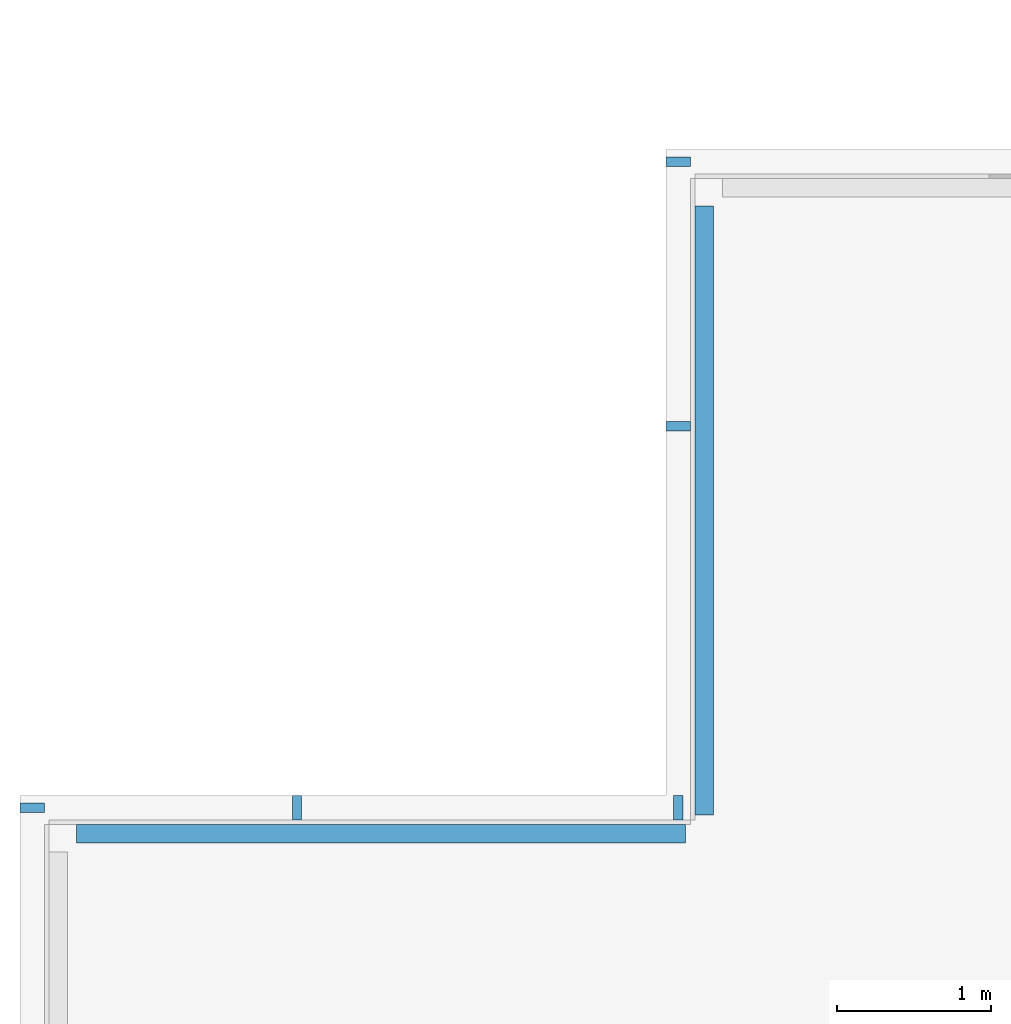
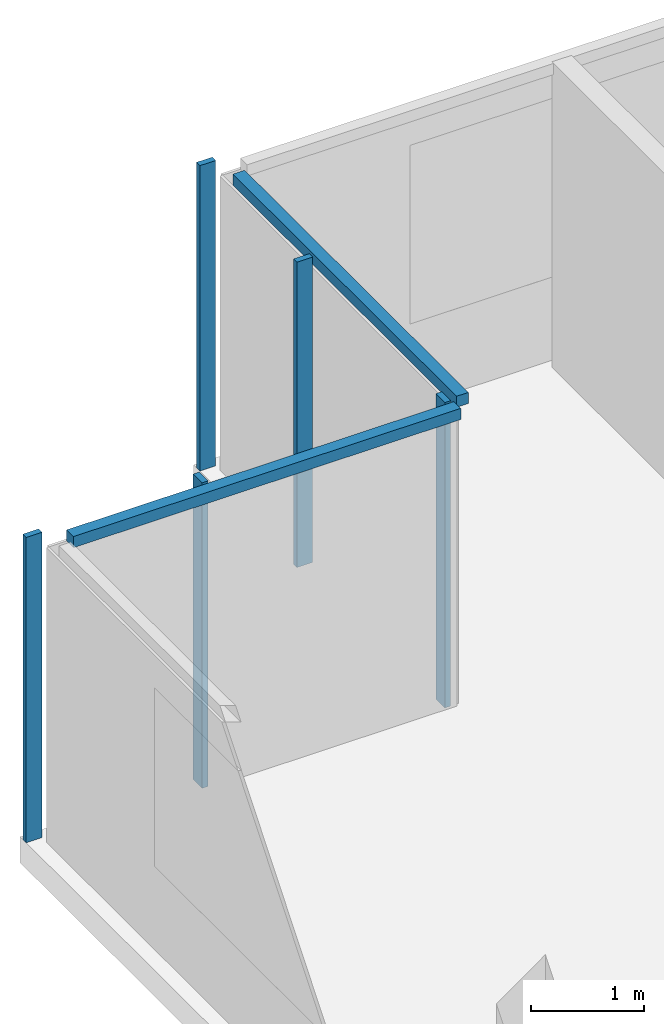
# One storey, part 7 of 19: 7 members, 3 elements without a shape of their own.
"""IFC4 building model written with IfcOpenShell, lengths in metres."""

import ifcopenshell
import ifcopenshell.guid

model = None  # the IFC model being written
_history = None  # IfcOwnerHistory: only IFC2X3 demands one
_inside = {}  # id of a spatial element -> (the spatial element, [elements in it])
_under = {}  # id of a project, library or spatial element -> (it, [spatial elements below it])
_declared = {}  # id of a project -> (the project, [libraries it declares])
_typed = {}  # id of a type object -> (the type object, [elements of that type])
_made_of = {}  # id of a material, layer set ... -> (it, [elements and type objects made of it])


def new_model(schema):
    """Start an empty IFC model of exactly this schema.

    Asked for "IFC4X3", IfcOpenShell would pick the latest addendum, in which some entities
    have other attributes; the version numbers below select the first issue.
    IFC2X3 requires an IfcOwnerHistory on every rooted entity: one is made here for all.
    """
    global model, _history
    if schema == "IFC4X3":
        model = ifcopenshell.file(schema_version=(4, 3, 0, 0))
    else:
        model = ifcopenshell.file(schema=schema)
    _inside.clear()
    _under.clear()
    _declared.clear()
    _typed.clear()
    _made_of.clear()
    _history = None
    if model.schema == "IFC2X3":
        org = make("IfcOrganization", Name="unknown")
        user = make(
            "IfcPersonAndOrganization",
            ThePerson=make("IfcPerson", FamilyName="unknown"),
            TheOrganization=org,
        )
        app = make(
            "IfcApplication",
            ApplicationDeveloper=org,
            Version="unknown",
            ApplicationFullName="unknown",
            ApplicationIdentifier="unknown",
        )
        _history = make(
            "IfcOwnerHistory",
            OwningUser=user,
            OwningApplication=app,
            ChangeAction="ADDED",
            CreationDate=0,
        )
    return model


def make(cls, **values):
    """One entity of the class cls with the attributes given. An attribute that is None is left unset."""
    return model.create_entity(
        cls, **{name: value for name, value in values.items() if value is not None}
    )


def rooted(cls, **values):
    """An entity with a GlobalId (a new one), such as an element, a storey or a relation."""
    return make(cls, GlobalId=ifcopenshell.guid.new(), OwnerHistory=_history, **values)


def si_unit(unit_type, name, prefix=None):
    """IfcSIUnit, for example si_unit("LENGTHUNIT", "METRE", prefix="MILLI")."""
    return make("IfcSIUnit", UnitType=unit_type, Prefix=prefix, Name=name)


def assignment(units):
    """IfcUnitAssignment: the units of a project."""
    return None if units is None else make("IfcUnitAssignment", Units=units)


def point(xyz):
    """IfcCartesianPoint."""
    return None if xyz is None else make("IfcCartesianPoint", Coordinates=xyz)


def direction(xyz):
    """IfcDirection."""
    return None if xyz is None else make("IfcDirection", DirectionRatios=xyz)


def frame(location, z_axis=None, x_axis=None):
    """IfcAxis2Placement3D, a coordinate frame: its origin and axes. An axis left out is left unset."""
    return make(
        "IfcAxis2Placement3D",
        Location=point(location),
        Axis=direction(z_axis),
        RefDirection=direction(x_axis),
    )


def frame_2d(location, x_axis=None):
    """IfcAxis2Placement2D, a coordinate frame in the plane: its origin and x axis."""
    return make(
        "IfcAxis2Placement2D", Location=point(location), RefDirection=direction(x_axis)
    )


def origin():
    """The frame at (0, 0, 0) with its axes left unset."""
    return frame((0.0, 0.0, 0.0))


def origin_2d():
    """The frame at (0, 0) in the plane with its x axis left unset."""
    return frame_2d((0.0, 0.0))


def place(relative_to, where):
    """IfcLocalPlacement: puts the frame where relative to a parent placement (None: the world)."""
    return make(
        "IfcLocalPlacement", PlacementRelTo=relative_to, RelativePlacement=where
    )


def context(
    kind, dimensions, precision=None, world=None, true_north=None, identifier=None
):
    """IfcGeometricRepresentationContext, for example the 3D "Model" context."""
    return make(
        "IfcGeometricRepresentationContext",
        ContextIdentifier=identifier,
        ContextType=kind,
        CoordinateSpaceDimension=dimensions,
        Precision=precision,
        WorldCoordinateSystem=world,
        TrueNorth=true_north,
    )


def subcontext(parent, identifier, kind, view, scale=None):
    """IfcGeometricRepresentationSubContext, for example "Body" below "Model"."""
    return make(
        "IfcGeometricRepresentationSubContext",
        ContextIdentifier=identifier,
        ContextType=kind,
        ParentContext=parent,
        TargetScale=scale,
        TargetView=view,
    )


def project(units=None, contexts=None):
    """IfcProject with its units and contexts."""
    return rooted(
        "IfcProject",
        Name="project",
        RepresentationContexts=contexts,
        UnitsInContext=assignment(units),
    )


def spatial(cls, under=None, at=None, **own):
    """A site, building, storey or space (cls), placed at a placement, below another one or the project."""
    s = rooted(cls, ObjectPlacement=at, **own)
    if under is not None:
        _under.setdefault(under.id(), (under, []))[1].append(s)
    return s


def profile(cls, at=None, kind="AREA", **sizes):
    """A parametric profile (cls). Its sizes go by their IFC names, for example OverallWidth=200.0."""
    return make(cls, ProfileType=kind, Position=at, **sizes)


def rectangle(**sizes):
    """IfcRectangleProfileDef."""
    return profile("IfcRectangleProfileDef", **sizes)


def extrude(swept, where, along, depth):
    """IfcExtrudedAreaSolid: the profile swept, set in the frame where, extruded along a direction by depth."""
    return make(
        "IfcExtrudedAreaSolid",
        SweptArea=swept,
        Position=where,
        ExtrudedDirection=direction(along),
        Depth=depth,
    )


def shape(context_of_items, identifier, shape_type, items):
    """IfcShapeRepresentation: the items that make up one representation, for example the "Body"."""
    return make(
        "IfcShapeRepresentation",
        ContextOfItems=context_of_items,
        RepresentationIdentifier=identifier,
        RepresentationType=shape_type,
        Items=items,
    )


def material(Name=None, Category=None):
    """IfcMaterial."""
    return make("IfcMaterial", Name=Name, Category=Category)


def material_profile(
    of_material, cross_section, Name=None, Category=None, Priority=None
):
    """IfcMaterialProfile: a cross section and its material."""
    return make(
        "IfcMaterialProfile",
        Name=Name,
        Material=of_material,
        Profile=cross_section,
        Priority=Priority,
        Category=Category,
    )


def profile_set(profiles, Name=None, composite=None):
    """IfcMaterialProfileSet."""
    return make(
        "IfcMaterialProfileSet",
        Name=Name,
        MaterialProfiles=profiles,
        CompositeProfile=composite,
    )


def made_of(thing, what):
    """Note that an element or type object is made of a material, layer set ...; save() writes the relation."""
    if what is not None:
        _made_of.setdefault(what.id(), (what, []))[1].append(thing)
    return thing


def type_object(cls, material=None, **own):
    """A type object (cls), such as IfcWallType, which elements share."""
    return made_of(rooted(cls, **own), material)


def element(
    cls,
    number,
    at=None,
    inside=None,
    cuts=None,
    type_object=None,
    material=None,
    context=None,
    identifier="Body",
    shape_type=None,
    held_by="IfcProductDefinitionShape",
    body=None,
    shapes=None,
    **own,
):
    """One element of the class cls, such as IfcWall. Its Tag is "e" and its number.

    at: its placement. inside: the storey or other place that contains it. cuts: it is an
    opening in that element (IfcRelVoidsElement). A single representation is given by context,
    identifier, shape_type and body (its items); several are given by shapes. held_by: the class
    of the entity that holds the representations. save() writes the other relations.
    """
    e = rooted(cls, Tag="e%d" % number, ObjectPlacement=at, **own)
    if body is not None:
        shapes = [shape(context, identifier, shape_type, body)]
    if shapes is not None:
        e.Representation = make(held_by, Representations=shapes)
    if inside is not None:
        _inside.setdefault(inside.id(), (inside, []))[1].append(e)
    if cuts is not None:
        rooted(
            "IfcRelVoidsElement", RelatingBuildingElement=cuts, RelatedOpeningElement=e
        )
    if type_object is not None:
        _typed.setdefault(type_object.id(), (type_object, []))[1].append(e)
    return made_of(e, material)


def aggregate(whole, parts):
    """IfcRelAggregates: a whole, such as a stair, and the parts it consists of."""
    return rooted("IfcRelAggregates", RelatingObject=whole, RelatedObjects=parts)


def save(model, path):
    """Write the relations noted so far, then the file.

    IfcRelAggregates (storeys below a building ...), IfcRelContainedInSpatialStructure (elements
    in a storey), IfcRelDefinesByType, IfcRelAssociatesMaterial and IfcRelDeclares: one each for
    every whole, place, type object, material and project.
    """
    for whole, parts in _under.values():
        aggregate(whole, parts)
    for where, things in _inside.values():
        rooted(
            "IfcRelContainedInSpatialStructure",
            RelatedElements=things,
            RelatingStructure=where,
        )
    for kind, things in _typed.values():
        rooted("IfcRelDefinesByType", RelatedObjects=things, RelatingType=kind)
    for what, things in _made_of.values():
        rooted("IfcRelAssociatesMaterial", RelatedObjects=things, RelatingMaterial=what)
    for by, libraries in _declared.values():
        rooted("IfcRelDeclares", RelatingContext=by, RelatedDefinitions=libraries)
    model.write(path)


model = new_model("IFC4")

# Units and contexts
model_context = context("Model", 3, precision=1e-05, world=origin(), true_north=direction((0.0, 1.0)))
body_context = subcontext(model_context, "Body", "Model", "MODEL_VIEW")
ifc_project = project(units=[si_unit("LENGTHUNIT", "METRE"), si_unit("AREAUNIT", "SQUARE_METRE"), si_unit("VOLUMEUNIT", "CUBIC_METRE"), si_unit("PLANEANGLEUNIT", "RADIAN"), si_unit("MASSUNIT", "GRAM", prefix="KILO")], contexts=[model_context])

# Site, building, storey
site_placement = place(None, origin())
site = spatial("IfcSite", under=ifc_project, at=site_placement, CompositionType="ELEMENT")
building_placement = place(site_placement, origin())
building = spatial("IfcBuilding", under=site, at=building_placement, Name="Saffron Gate Tower", CompositionType="ELEMENT")
storey_placement = place(building_placement, frame((0.0, 0.0, 306.75)))
storey = spatial("IfcBuildingStorey", under=building, at=storey_placement, Name="L75", CompositionType="ELEMENT", Elevation=306.75)

# Curtain wall, member
ifc_material = material(Name="Aluminium, bronze anodised", Category="aluminium")
curtain_wall_type_1 = type_object("IfcCurtainWallType", Name="CWS2 curtain wall side facades", PredefinedType="NOTDEFINED", material=ifc_material)
curtain_wall_1_placement = place(storey_placement, origin())
curtain_wall_1 = element("IfcCurtainWall", 1, at=curtain_wall_1_placement, inside=storey, type_object=curtain_wall_type_1, Name="CWS2 run 10", PredefinedType="NOTDEFINED")
ifc_material_profile_1 = material_profile(ifc_material, rectangle(XDim=0.159912109375, YDim=0.06005859375, at=origin_2d()))
ifc_profile_set_1 = profile_set([ifc_material_profile_1], Name="Aluminium, bronze anodised")
member_type_1 = type_object("IfcMemberType", Name="CWS2 mullion 60x160", PredefinedType="MULLION", material=ifc_profile_set_1)
member_1_placement = place(storey_placement, frame((56.47998046875, 71.320068359375, 0.0), z_axis=(0.0, 0.0, 1.0), x_axis=(1.0, 0.0, 0.0)))
member_1 = element("IfcMember", 2, at=member_1_placement, type_object=member_type_1, Name="CWS2 mullion 1", PredefinedType="MULLION", context=body_context, shape_type="SweptSolid", body=[
    extrude(rectangle(XDim=0.159912109375, YDim=0.06005859375, at=origin_2d()), origin(), (0.0, 0.0, 1.0), 3.300048828125),
])
aggregate(curtain_wall_1, [member_1])

curtain_wall_type_2 = type_object("IfcCurtainWallType", Name="CWS4 curtain wall corner returns", PredefinedType="NOTDEFINED", material=ifc_material)
curtain_wall_2_placement = place(storey_placement, origin())
curtain_wall_2 = element("IfcCurtainWall", 3, at=curtain_wall_2_placement, inside=storey, type_object=curtain_wall_type_2, Name="CWS4 run 8", PredefinedType="NOTDEFINED")
ifc_material_profile_2 = material_profile(ifc_material, rectangle(XDim=0.1201171875, YDim=0.1201171875, at=origin_2d()))
ifc_profile_set_2 = profile_set([ifc_material_profile_2], Name="Aluminium, bronze anodised")
member_type_2 = type_object("IfcMemberType", Name="CWS4 head transom", PredefinedType="USERDEFINED", material=ifc_profile_set_2)
member_2_placement = place(storey_placement, frame((60.847900390625, 75.23193359375, 3.239990234375), z_axis=(0.0, -1.0, 0.0), x_axis=(1.0, 0.0, 0.0)))
member_2 = element("IfcMember", 4, at=member_2_placement, type_object=member_type_2, Name="CWS4 head transom", ObjectType="TRANSOM", PredefinedType="USERDEFINED", context=body_context, shape_type="SweptSolid", body=[
    extrude(rectangle(XDim=0.1201171875, YDim=0.1201171875, at=origin_2d()), origin(), (0.0, 0.0, 1.0), 3.9599609375),
])

curtain_wall_3_placement = place(storey_placement, origin())
curtain_wall_3 = element("IfcCurtainWall", 5, at=curtain_wall_3_placement, inside=storey, type_object=curtain_wall_type_2, Name="CWS4 run 9", PredefinedType="NOTDEFINED")
member_3_placement = place(storey_placement, frame((60.72802734375, 71.152099609375, 3.239990234375), z_axis=(-1.0, 0.0, 0.0), x_axis=(0.0, -1.0, 0.0)))
member_3 = element("IfcMember", 6, at=member_3_placement, type_object=member_type_2, Name="CWS4 head transom", ObjectType="TRANSOM", PredefinedType="USERDEFINED", context=body_context, shape_type="SweptSolid", body=[
    extrude(rectangle(XDim=0.1201171875, YDim=0.1201171875, at=origin_2d()), origin(), (0.0, 0.0, 1.0), 3.9599609375),
])

# Member
ifc_material_profile_3 = material_profile(ifc_material, rectangle(XDim=0.159912109375, YDim=0.06005859375, at=origin_2d()))
ifc_profile_set_3 = profile_set([ifc_material_profile_3], Name="Aluminium, bronze anodised")
member_type_3 = type_object("IfcMemberType", Name="CWS4 mullion 60x160", PredefinedType="MULLION", material=ifc_profile_set_3)
member_4_placement = place(storey_placement, frame((60.679931640625, 75.52001953125, 0.0), z_axis=(0.0, 0.0, 1.0), x_axis=(1.0, 0.0, 0.0)))
member_4 = element("IfcMember", 7, at=member_4_placement, type_object=member_type_3, Name="CWS4 mullion 1", PredefinedType="MULLION", context=body_context, shape_type="SweptSolid", body=[
    extrude(rectangle(XDim=0.159912109375, YDim=0.06005859375, at=origin_2d()), origin(), (0.0, 0.0, 1.0), 3.300048828125),
])

member_5_placement = place(storey_placement, frame((60.679931640625, 73.800048828125, 0.0), z_axis=(0.0, 0.0, 1.0), x_axis=(1.0, 0.0, 0.0)))
member_5 = element("IfcMember", 8, at=member_5_placement, type_object=member_type_3, Name="CWS4 mullion 2", PredefinedType="MULLION", context=body_context, shape_type="SweptSolid", body=[
    extrude(rectangle(XDim=0.159912109375, YDim=0.06005859375, at=origin_2d()), origin(), (0.0, 0.0, 1.0), 3.300048828125),
])

aggregate(curtain_wall_2, [member_4, member_5, member_2])

member_6_placement = place(storey_placement, frame((60.679931640625, 71.320068359375, 0.0), z_axis=(0.0, 0.0, 1.0), x_axis=(0.0, -1.0, 0.0)))
member_6 = element("IfcMember", 9, at=member_6_placement, type_object=member_type_3, Name="CWS4 mullion 1", PredefinedType="MULLION", context=body_context, shape_type="SweptSolid", body=[
    extrude(rectangle(XDim=0.159912109375, YDim=0.06005859375, at=origin_2d()), origin(), (0.0, 0.0, 1.0), 3.300048828125),
])

member_7_placement = place(storey_placement, frame((58.199951171875, 71.320068359375, 0.0), z_axis=(0.0, 0.0, 1.0), x_axis=(0.0, -1.0, 0.0)))
member_7 = element("IfcMember", 10, at=member_7_placement, type_object=member_type_3, Name="CWS4 mullion 2", PredefinedType="MULLION", context=body_context, shape_type="SweptSolid", body=[
    extrude(rectangle(XDim=0.159912109375, YDim=0.06005859375, at=origin_2d()), origin(), (0.0, 0.0, 1.0), 3.300048828125),
])

aggregate(curtain_wall_3, [member_6, member_7, member_3])

save(model, "model.ifc")
